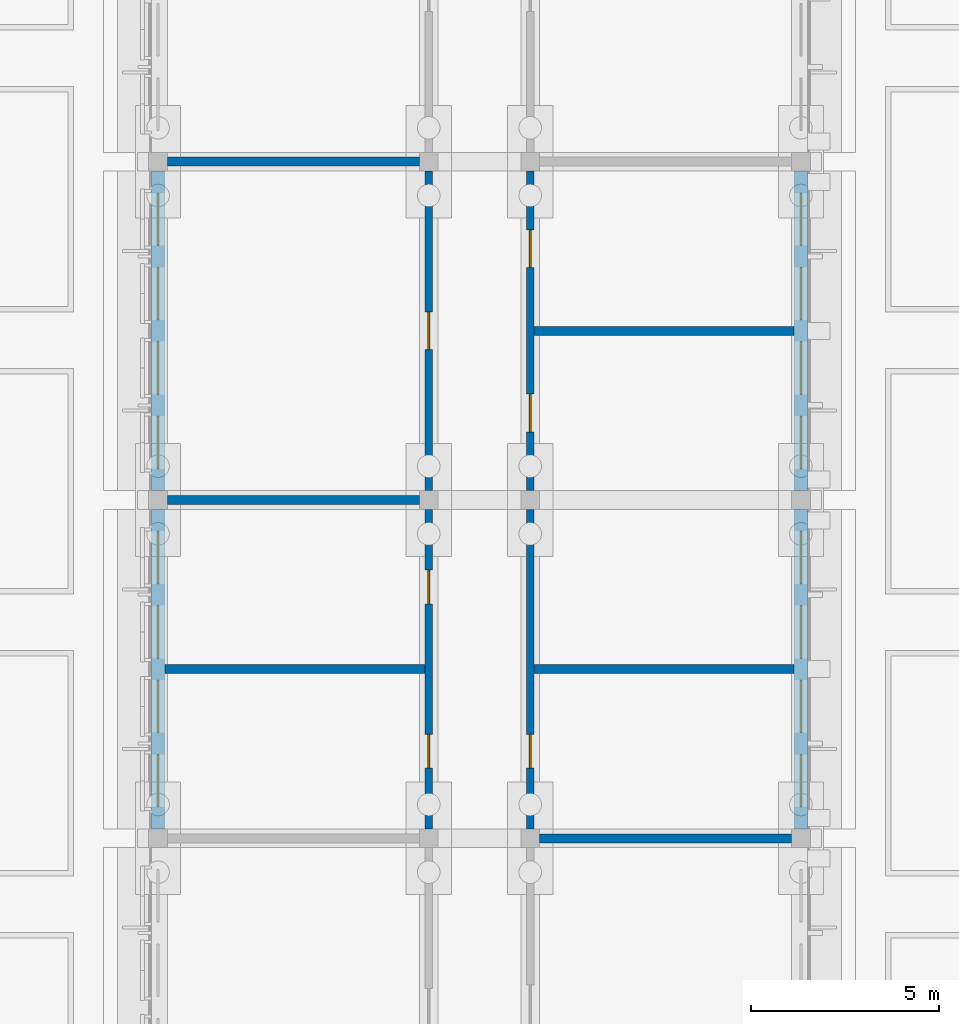
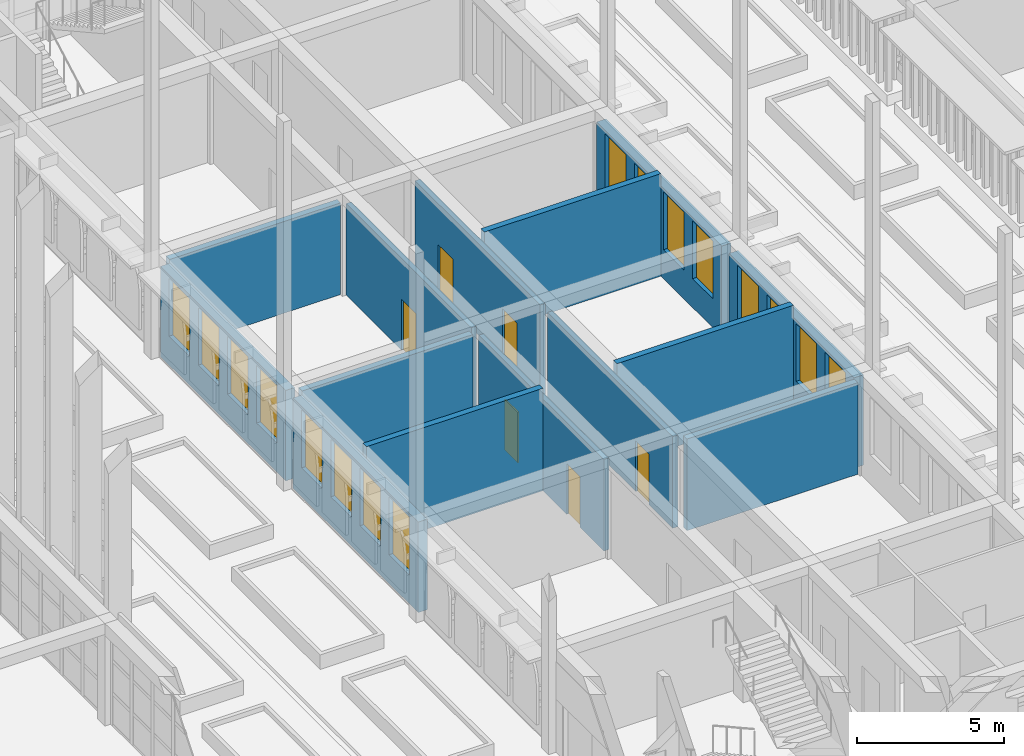
# One storey, part 63 of 161: 16 windows, 14 walls, 6 doors, 22 openings.
"""IFC4 building model written with IfcOpenShell, lengths in metres."""

from ifc_helpers import new_model, si_unit, direction, frame, frame_2d, origin, place, context, subcontext, project, spatial, rectangle, extrude, material, layer, layer_set, type_object, element, fill, save


model = new_model("IFC4")

# Units and contexts
model_context = context("Model", 3, precision=1e-05, world=origin(), true_north=direction((0.0, 1.0)))
body_context = subcontext(model_context, "Body", "Model", "MODEL_VIEW")
ifc_project = project(units=[si_unit("LENGTHUNIT", "METRE"), si_unit("AREAUNIT", "SQUARE_METRE"), si_unit("VOLUMEUNIT", "CUBIC_METRE"), si_unit("PLANEANGLEUNIT", "RADIAN"), si_unit("MASSUNIT", "GRAM", prefix="KILO")], contexts=[model_context])

# Site, building, storey
site_placement = place(None, origin())
site = spatial("IfcSite", under=ifc_project, at=site_placement, CompositionType="ELEMENT")
building_placement = place(site_placement, origin())
building = spatial("IfcBuilding", under=site, at=building_placement, Name="Elbe Cascade School", CompositionType="ELEMENT")
storey_placement = place(building_placement, origin())
storey = spatial("IfcBuildingStorey", under=building, at=storey_placement, Name="L00", CompositionType="ELEMENT", Elevation=0.0)

# Walls
ifc_material_1 = material(Name="Masonry - lime-sand block, plastered", Category="masonry")
ifc_layer_1 = layer(ifc_material_1, 0.239990234375)
ifc_layer_set_1 = layer_set([ifc_layer_1], Name="Masonry - lime-sand block, plastered")
wall_type_1 = type_object("IfcWallType", Name="Bar acoustic partition wall lime-sand block 240", PredefinedType="PARTITIONING", material=ifc_layer_set_1)
wall_1_placement = place(storey_placement, frame((98.780029296875, 28.5, 0.0), z_axis=(0.0, 0.0, 1.0), x_axis=(1.0, 0.0, 0.0)))
element("IfcWall", 1, at=wall_1_placement, inside=storey, type_object=wall_type_1, Name="Bar acoustic partition wall lime-sand block 240", PredefinedType="PARTITIONING", context=body_context, shape_type="SweptSolid", body=[
    extrude(rectangle(XDim=6.919921875, YDim=0.239990234375, at=frame_2d((3.4599609375, 0.0))), origin(), (0.0, 0.0, 1.0), 4.25),
])
for number, where, z_axis, x_axis, name in (
    (2, (98.85009765625, 33.0, 0.0), (0.0, 0.0, 1.0), (1.0, 0.0, 0.0), "Bar acoustic partition wall lime-sand block 240"),
    (3, (98.85009765625, 42.0, 0.0), (0.0, 0.0, 1.0), (1.0, 0.0, 0.0), "Bar acoustic partition wall lime-sand block 240"),
    (4, (108.75, 24.0, 0.0), (0.0, 0.0, 1.0), (1.0, 0.0, 0.0), "Bar acoustic partition wall lime-sand block 240"),
):
    element("IfcWall", number, at=place(storey_placement, frame(where, z_axis=z_axis, x_axis=x_axis)), inside=storey, type_object=wall_type_1, Name=name, PredefinedType="PARTITIONING", context=body_context, shape_type="SweptSolid", body=[
        extrude(rectangle(XDim=6.699951171875, YDim=0.239990234375, at=frame_2d((3.35009765625, 0.0))), origin(), (0.0, 0.0, 1.0), 3.800048828125),
    ])
for number, where, z_axis, x_axis, name in (
    (5, (108.60009765625, 28.5, 0.0), (0.0, 0.0, 1.0), (1.0, 0.0, 0.0), "Bar acoustic partition wall lime-sand block 240"),
    (6, (108.60009765625, 37.5, 0.0), (0.0, 0.0, 1.0), (1.0, 0.0, 0.0), "Bar acoustic partition wall lime-sand block 240"),
):
    element("IfcWall", number, at=place(storey_placement, frame(where, z_axis=z_axis, x_axis=x_axis)), inside=storey, type_object=wall_type_1, Name=name, PredefinedType="PARTITIONING", context=body_context, shape_type="SweptSolid", body=[
        extrude(rectangle(XDim=6.919921875, YDim=0.239990234375, at=frame_2d((3.4599609375, 0.0))), origin(), (0.0, 0.0, 1.0), 4.25),
    ])

# Wall, openings, doors
ifc_material_2 = material(Name="Masonry - lime-sand block, plastered", Category="masonry")
ifc_layer_2 = layer(ifc_material_2, 0.199951171875)
ifc_layer_set_2 = layer_set([ifc_layer_2], Name="Masonry - lime-sand block, plastered")
wall_type_2 = type_object("IfcWallType", Name="Bar corridor wall lime-sand block 200 EI 30", PredefinedType="PARTITIONING", material=ifc_layer_set_2)
wall_2_placement = place(storey_placement, frame((105.800048828125, 24.25, 0.0), z_axis=(0.0, 0.0, 1.0), x_axis=(0.0, 1.0, 0.0)))
wall_2 = element("IfcWall", 7, at=wall_2_placement, inside=storey, type_object=wall_type_2, Name="Bar corridor wall lime-sand block 200 EI 30", PredefinedType="PARTITIONING", context=body_context, shape_type="SweptSolid", body=[
    extrude(rectangle(XDim=8.5, YDim=0.199951171875, at=frame_2d((4.25, 0.0))), origin(), (0.0, 0.0, 1.0), 3.800048828125),
])
opening_1_placement = place(wall_2_placement, frame((1.614990234375, 0.0, 0.0)))
opening_1 = element("IfcOpeningElement", 8, at=opening_1_placement, cuts=wall_2, Name="Opening D0.049", PredefinedType="OPENING", context=body_context, shape_type="SweptSolid", body=[
    extrude(rectangle(XDim=0.89990234375, YDim=2.10009765625, at=frame_2d((0.449951171875, 1.050048828125))), frame((0.0, 0.10986328125, 0.0), z_axis=(0.0, -1.0, 0.0), x_axis=(1.0, 0.0, 0.0)), (0.0, 0.0, 1.0), 0.219970703125),
])
opening_2_placement = place(wall_2_placement, frame((5.985107421875, 0.0, 0.0)))
opening_2 = element("IfcOpeningElement", 9, at=opening_2_placement, cuts=wall_2, Name="Opening D0.051", PredefinedType="OPENING", context=body_context, shape_type="SweptSolid", body=[
    extrude(rectangle(XDim=0.89990234375, YDim=2.10009765625, at=frame_2d((0.449951171875, 1.050048828125))), frame((0.0, 0.10986328125, 0.0), z_axis=(0.0, -1.0, 0.0), x_axis=(1.0, 0.0, 0.0)), (0.0, 0.0, 1.0), 0.219970703125),
])
ifc_material_3 = material(Name="Timber door leaf, fire-resisting, steel frame", Category="steel")
door_type_1 = type_object("IfcDoorType", Name="Bar door FD30 900x2100", OperationType="NOTDEFINED", PredefinedType="DOOR", material=ifc_material_3)
door_1_placement = place(opening_1_placement, origin())
door_1 = element("IfcDoor", 10, at=door_1_placement, inside=storey, type_object=door_type_1, Name="Door B0.20", OperationType="SINGLE_SWING_LEFT", OverallHeight=2.10009765625, OverallWidth=0.89990234375, PredefinedType="DOOR", context=body_context, shape_type="SweptSolid", body=[
    extrude(rectangle(XDim=0.89990234375, YDim=2.10009765625, at=frame_2d((0.449951171875, 1.050048828125))), frame((0.0, 0.02490234375, 0.0), z_axis=(0.0, -1.0, 0.0), x_axis=(1.0, 0.0, 0.0)), (0.0, 0.0, 1.0), 0.050048828125),
])
fill(opening_1, door_1)
door_2_placement = place(opening_2_placement, origin())
door_2 = element("IfcDoor", 11, at=door_2_placement, inside=storey, type_object=door_type_1, Name="Door B0.21", OperationType="SINGLE_SWING_RIGHT", OverallHeight=2.10009765625, OverallWidth=0.89990234375, PredefinedType="DOOR", context=body_context, shape_type="SweptSolid", body=[
    extrude(rectangle(XDim=0.89990234375, YDim=2.10009765625, at=frame_2d((0.449951171875, 1.050048828125))), frame((0.0, 0.02490234375, 0.0), z_axis=(0.0, -1.0, 0.0), x_axis=(1.0, 0.0, 0.0)), (0.0, 0.0, 1.0), 0.050048828125),
])
fill(opening_2, door_2)

# Wall, opening, door
wall_3_placement = place(storey_placement, frame((105.800048828125, 33.25, 0.0), z_axis=(0.0, 0.0, 1.0), x_axis=(0.0, 1.0, 0.0)))
wall_3 = element("IfcWall", 12, at=wall_3_placement, inside=storey, type_object=wall_type_2, Name="Bar corridor wall lime-sand block 200 EI 30", PredefinedType="PARTITIONING", context=body_context, shape_type="SweptSolid", body=[
    extrude(rectangle(XDim=8.5, YDim=0.199951171875, at=frame_2d((4.25, 0.0))), origin(), (0.0, 0.0, 1.0), 3.800048828125),
])
opening_3_placement = place(wall_3_placement, frame((3.75, 0.0, 0.0)))
opening_3 = element("IfcOpeningElement", 13, at=opening_3_placement, cuts=wall_3, Name="Opening D0.053", PredefinedType="OPENING", context=body_context, shape_type="SweptSolid", body=[
    extrude(rectangle(XDim=1.0, YDim=2.10009765625, at=frame_2d((0.5, 1.050048828125))), frame((0.0, 0.10986328125, 0.0), z_axis=(0.0, -1.0, 0.0), x_axis=(1.0, 0.0, 0.0)), (0.0, 0.0, 1.0), 0.219970703125),
])
ifc_material_4 = material(Name="Timber door leaf, fire-resisting, steel frame", Category="steel")
door_type_2 = type_object("IfcDoorType", Name="Bar door FD30 1000x2100", OperationType="NOTDEFINED", PredefinedType="DOOR", material=ifc_material_4)
door_3_placement = place(opening_3_placement, origin())
door_3 = element("IfcDoor", 14, at=door_3_placement, inside=storey, type_object=door_type_2, Name="Door B0.22", OperationType="SINGLE_SWING_LEFT", OverallHeight=2.10009765625, OverallWidth=1.0, PredefinedType="DOOR", context=body_context, shape_type="SweptSolid", body=[
    extrude(rectangle(XDim=1.0, YDim=2.10009765625, at=frame_2d((0.5, 1.050048828125))), frame((0.0, 0.02490234375, 0.0), z_axis=(0.0, -1.0, 0.0), x_axis=(1.0, 0.0, 0.0)), (0.0, 0.0, 1.0), 0.050048828125),
])
fill(opening_3, door_3)

wall_4_placement = place(storey_placement, frame((108.5, 32.75, 0.0), z_axis=(0.0, 0.0, 1.0), x_axis=(0.0, -1.0, 0.0)))
wall_4 = element("IfcWall", 15, at=wall_4_placement, inside=storey, type_object=wall_type_2, Name="Bar corridor wall lime-sand block 200 EI 30", PredefinedType="PARTITIONING", context=body_context, shape_type="SweptSolid", body=[
    extrude(rectangle(XDim=8.5, YDim=0.199951171875, at=frame_2d((4.25, 0.0))), origin(), (0.0, 0.0, 1.0), 3.800048828125),
])
opening_4_placement = place(wall_4_placement, frame((5.985107421875, 0.0, 0.0)))
opening_4 = element("IfcOpeningElement", 16, at=opening_4_placement, cuts=wall_4, Name="Opening D0.050", PredefinedType="OPENING", context=body_context, shape_type="SweptSolid", body=[
    extrude(rectangle(XDim=0.89990234375, YDim=2.10009765625, at=frame_2d((0.449951171875, 1.050048828125))), frame((0.0, 0.10986328125, 0.0), z_axis=(0.0, -1.0, 0.0), x_axis=(1.0, 0.0, 0.0)), (0.0, 0.0, 1.0), 0.219970703125),
])
door_4_placement = place(opening_4_placement, origin())
door_4 = element("IfcDoor", 17, at=door_4_placement, inside=storey, type_object=door_type_1, Name="Door B0.25", OperationType="SINGLE_SWING_RIGHT", OverallHeight=2.10009765625, OverallWidth=0.89990234375, PredefinedType="DOOR", context=body_context, shape_type="SweptSolid", body=[
    extrude(rectangle(XDim=0.89990234375, YDim=2.10009765625, at=frame_2d((0.449951171875, 1.050048828125))), frame((0.0, 0.02490234375, 0.0), z_axis=(0.0, -1.0, 0.0), x_axis=(1.0, 0.0, 0.0)), (0.0, 0.0, 1.0), 0.050048828125),
])
fill(opening_4, door_4)

# Wall, openings, doors
wall_5_placement = place(storey_placement, frame((108.5, 41.75, 0.0), z_axis=(0.0, 0.0, 1.0), x_axis=(0.0, -1.0, 0.0)))
wall_5 = element("IfcWall", 18, at=wall_5_placement, inside=storey, type_object=wall_type_2, Name="Bar corridor wall lime-sand block 200 EI 30", PredefinedType="PARTITIONING", context=body_context, shape_type="SweptSolid", body=[
    extrude(rectangle(XDim=8.5, YDim=0.199951171875, at=frame_2d((4.25, 0.0))), origin(), (0.0, 0.0, 1.0), 3.800048828125),
])
opening_5_placement = place(wall_5_placement, frame((5.93505859375, 0.0, 0.0)))
opening_5 = element("IfcOpeningElement", 19, at=opening_5_placement, cuts=wall_5, Name="Opening D0.052", PredefinedType="OPENING", context=body_context, shape_type="SweptSolid", body=[
    extrude(rectangle(XDim=1.0, YDim=2.10009765625, at=frame_2d((0.5, 1.050048828125))), frame((0.0, 0.10986328125, 0.0), z_axis=(0.0, -1.0, 0.0), x_axis=(1.0, 0.0, 0.0)), (0.0, 0.0, 1.0), 0.219970703125),
])
opening_6_placement = place(wall_5_placement, frame((1.56494140625, 0.0, 0.0)))
opening_6 = element("IfcOpeningElement", 20, at=opening_6_placement, cuts=wall_5, Name="Opening D0.054", PredefinedType="OPENING", context=body_context, shape_type="SweptSolid", body=[
    extrude(rectangle(XDim=1.0, YDim=2.10009765625, at=frame_2d((0.5, 1.050048828125))), frame((0.0, 0.10986328125, 0.0), z_axis=(0.0, -1.0, 0.0), x_axis=(1.0, 0.0, 0.0)), (0.0, 0.0, 1.0), 0.219970703125),
])
door_5_placement = place(opening_5_placement, origin())
door_5 = element("IfcDoor", 21, at=door_5_placement, inside=storey, type_object=door_type_2, Name="Door B0.26", OperationType="SINGLE_SWING_LEFT", OverallHeight=2.10009765625, OverallWidth=1.0, PredefinedType="DOOR", context=body_context, shape_type="SweptSolid", body=[
    extrude(rectangle(XDim=1.0, YDim=2.10009765625, at=frame_2d((0.5, 1.050048828125))), frame((0.0, 0.02490234375, 0.0), z_axis=(0.0, -1.0, 0.0), x_axis=(1.0, 0.0, 0.0)), (0.0, 0.0, 1.0), 0.050048828125),
])
fill(opening_5, door_5)
door_6_placement = place(opening_6_placement, origin())
door_6 = element("IfcDoor", 22, at=door_6_placement, inside=storey, type_object=door_type_2, Name="Door B0.27", OperationType="SINGLE_SWING_RIGHT", OverallHeight=2.10009765625, OverallWidth=1.0, PredefinedType="DOOR", context=body_context, shape_type="SweptSolid", body=[
    extrude(rectangle(XDim=1.0, YDim=2.10009765625, at=frame_2d((0.5, 1.050048828125))), frame((0.0, 0.02490234375, 0.0), z_axis=(0.0, -1.0, 0.0), x_axis=(1.0, 0.0, 0.0)), (0.0, 0.0, 1.0), 0.050048828125),
])
fill(opening_6, door_6)

# Wall, openings, windows
ifc_material_5 = material(Name="Brick masonry - red clinker, cavity wall with render backing", Category="masonry")
ifc_layer_3 = layer(ifc_material_5, 0.360107421875)
ifc_layer_set_3 = layer_set([ifc_layer_3], Name="Brick masonry - red clinker, cavity wall with render backing")
wall_type_3 = type_object("IfcWallType", Name="Bars envelope External wall - clinker brick cavity, 360 ground floor", PredefinedType="STANDARD", material=ifc_layer_set_3)
wall_6_placement = place(storey_placement, frame((98.60009765625, 24.25, 0.0), z_axis=(0.0, 0.0, 1.0), x_axis=(0.0, 1.0, 0.0)))
wall_6 = element("IfcWall", 23, at=wall_6_placement, inside=storey, type_object=wall_type_3, Name="External wall W29 B.L00.w3", PredefinedType="STANDARD", context=body_context, shape_type="SweptSolid", body=[
    extrude(rectangle(XDim=8.5, YDim=0.360107421875, at=frame_2d((4.25, 0.0))), origin(), (0.0, 0.0, 1.0), 3.75),
])
opening_7_placement = place(wall_6_placement, frame((0.580078125, 0.0, 1.199951171875)))
opening_7 = element("IfcOpeningElement", 24, at=opening_7_placement, cuts=wall_6, Name="Opening W0.025", PredefinedType="OPENING", context=body_context, shape_type="SweptSolid", body=[
    extrude(rectangle(XDim=1.39990234375, YDim=2.39990234375, at=frame_2d((0.699951171875, 1.199951171875))), frame((0.0, 0.18994140625, 0.0), z_axis=(0.0, -1.0, 0.0), x_axis=(1.0, 0.0, 0.0)), (0.0, 0.0, 1.0), 0.380126953125),
])
opening_8_placement = place(wall_6_placement, frame((2.56005859375, 0.0, 1.199951171875)))
opening_8 = element("IfcOpeningElement", 25, at=opening_8_placement, cuts=wall_6, Name="Opening W0.027", PredefinedType="OPENING", context=body_context, shape_type="SweptSolid", body=[
    extrude(rectangle(XDim=1.39990234375, YDim=2.39990234375, at=frame_2d((0.699951171875, 1.199951171875))), frame((0.0, 0.18994140625, 0.0), z_axis=(0.0, -1.0, 0.0), x_axis=(1.0, 0.0, 0.0)), (0.0, 0.0, 1.0), 0.380126953125),
])
opening_9_placement = place(wall_6_placement, frame((4.5400390625, 0.0, 1.199951171875)))
opening_9 = element("IfcOpeningElement", 26, at=opening_9_placement, cuts=wall_6, Name="Opening W0.029", PredefinedType="OPENING", context=body_context, shape_type="SweptSolid", body=[
    extrude(rectangle(XDim=1.39990234375, YDim=2.39990234375, at=frame_2d((0.699951171875, 1.199951171875))), frame((0.0, 0.18994140625, 0.0), z_axis=(0.0, -1.0, 0.0), x_axis=(1.0, 0.0, 0.0)), (0.0, 0.0, 1.0), 0.380126953125),
])
opening_10_placement = place(wall_6_placement, frame((6.52001953125, 0.0, 1.199951171875)))
opening_10 = element("IfcOpeningElement", 27, at=opening_10_placement, cuts=wall_6, Name="Opening W0.031", PredefinedType="OPENING", context=body_context, shape_type="SweptSolid", body=[
    extrude(rectangle(XDim=1.39990234375, YDim=2.39990234375, at=frame_2d((0.699951171875, 1.199951171875))), frame((0.0, 0.18994140625, 0.0), z_axis=(0.0, -1.0, 0.0), x_axis=(1.0, 0.0, 0.0)), (0.0, 0.0, 1.0), 0.380126953125),
])
ifc_material_6 = material(Name="Aluminium frame with double glazing, bronze anodised", Category="aluminium")
window_type = type_object("IfcWindowType", Name="Bars envelope Window 1400 x 2400, music and art studio, high sill, aluminium double glazed", PartitioningType="DOUBLE_PANEL_VERTICAL", PredefinedType="WINDOW", material=ifc_material_6)
window_1_placement = place(opening_7_placement, origin())
window_1 = element("IfcWindow", 28, at=window_1_placement, inside=storey, type_object=window_type, Name="Window WN11 B.L00.w3.1", OverallHeight=2.39990234375, OverallWidth=1.39990234375, PartitioningType="DOUBLE_PANEL_VERTICAL", PredefinedType="WINDOW", context=body_context, shape_type="SweptSolid", body=[
    extrude(rectangle(XDim=1.39990234375, YDim=2.39990234375, at=frame_2d((0.699951171875, 1.199951171875))), frame((0.0, 0.030029296875, 0.0), z_axis=(0.0, -1.0, 0.0), x_axis=(1.0, 0.0, 0.0)), (0.0, 0.0, 1.0), 0.06005859375),
])
fill(opening_7, window_1)
window_2_placement = place(opening_8_placement, origin())
window_2 = element("IfcWindow", 29, at=window_2_placement, inside=storey, type_object=window_type, Name="Window WN11 B.L00.w3.2", OverallHeight=2.39990234375, OverallWidth=1.39990234375, PartitioningType="DOUBLE_PANEL_VERTICAL", PredefinedType="WINDOW", context=body_context, shape_type="SweptSolid", body=[
    extrude(rectangle(XDim=1.39990234375, YDim=2.39990234375, at=frame_2d((0.699951171875, 1.199951171875))), frame((0.0, 0.030029296875, 0.0), z_axis=(0.0, -1.0, 0.0), x_axis=(1.0, 0.0, 0.0)), (0.0, 0.0, 1.0), 0.06005859375),
])
fill(opening_8, window_2)
window_3_placement = place(opening_9_placement, origin())
window_3 = element("IfcWindow", 30, at=window_3_placement, inside=storey, type_object=window_type, Name="Window WN11 B.L00.w3.3", OverallHeight=2.39990234375, OverallWidth=1.39990234375, PartitioningType="DOUBLE_PANEL_VERTICAL", PredefinedType="WINDOW", context=body_context, shape_type="SweptSolid", body=[
    extrude(rectangle(XDim=1.39990234375, YDim=2.39990234375, at=frame_2d((0.699951171875, 1.199951171875))), frame((0.0, 0.030029296875, 0.0), z_axis=(0.0, -1.0, 0.0), x_axis=(1.0, 0.0, 0.0)), (0.0, 0.0, 1.0), 0.06005859375),
])
fill(opening_9, window_3)
window_4_placement = place(opening_10_placement, origin())
window_4 = element("IfcWindow", 31, at=window_4_placement, inside=storey, type_object=window_type, Name="Window WN11 B.L00.w3.4", OverallHeight=2.39990234375, OverallWidth=1.39990234375, PartitioningType="DOUBLE_PANEL_VERTICAL", PredefinedType="WINDOW", context=body_context, shape_type="SweptSolid", body=[
    extrude(rectangle(XDim=1.39990234375, YDim=2.39990234375, at=frame_2d((0.699951171875, 1.199951171875))), frame((0.0, 0.030029296875, 0.0), z_axis=(0.0, -1.0, 0.0), x_axis=(1.0, 0.0, 0.0)), (0.0, 0.0, 1.0), 0.06005859375),
])
fill(opening_10, window_4)

wall_7_placement = place(storey_placement, frame((98.60009765625, 33.25, 0.0), z_axis=(0.0, 0.0, 1.0), x_axis=(0.0, 1.0, 0.0)))
wall_7 = element("IfcWall", 32, at=wall_7_placement, inside=storey, type_object=wall_type_3, Name="External wall W29 B.L00.w4", PredefinedType="STANDARD", context=body_context, shape_type="SweptSolid", body=[
    extrude(rectangle(XDim=8.5, YDim=0.360107421875, at=frame_2d((4.25, 0.0))), origin(), (0.0, 0.0, 1.0), 3.75),
])
opening_11_placement = place(wall_7_placement, frame((0.580078125, 0.0, 1.199951171875)))
opening_11 = element("IfcOpeningElement", 33, at=opening_11_placement, cuts=wall_7, Name="Opening W0.033", PredefinedType="OPENING", context=body_context, shape_type="SweptSolid", body=[
    extrude(rectangle(XDim=1.39990234375, YDim=2.39990234375, at=frame_2d((0.699951171875, 1.199951171875))), frame((0.0, 0.18994140625, 0.0), z_axis=(0.0, -1.0, 0.0), x_axis=(1.0, 0.0, 0.0)), (0.0, 0.0, 1.0), 0.380126953125),
])
opening_12_placement = place(wall_7_placement, frame((2.56005859375, 0.0, 1.199951171875)))
opening_12 = element("IfcOpeningElement", 34, at=opening_12_placement, cuts=wall_7, Name="Opening W0.035", PredefinedType="OPENING", context=body_context, shape_type="SweptSolid", body=[
    extrude(rectangle(XDim=1.39990234375, YDim=2.39990234375, at=frame_2d((0.699951171875, 1.199951171875))), frame((0.0, 0.18994140625, 0.0), z_axis=(0.0, -1.0, 0.0), x_axis=(1.0, 0.0, 0.0)), (0.0, 0.0, 1.0), 0.380126953125),
])
opening_13_placement = place(wall_7_placement, frame((4.5400390625, 0.0, 1.199951171875)))
opening_13 = element("IfcOpeningElement", 35, at=opening_13_placement, cuts=wall_7, Name="Opening W0.037", PredefinedType="OPENING", context=body_context, shape_type="SweptSolid", body=[
    extrude(rectangle(XDim=1.39990234375, YDim=2.39990234375, at=frame_2d((0.699951171875, 1.199951171875))), frame((0.0, 0.18994140625, 0.0), z_axis=(0.0, -1.0, 0.0), x_axis=(1.0, 0.0, 0.0)), (0.0, 0.0, 1.0), 0.380126953125),
])
opening_14_placement = place(wall_7_placement, frame((6.52001953125, 0.0, 1.199951171875)))
opening_14 = element("IfcOpeningElement", 36, at=opening_14_placement, cuts=wall_7, Name="Opening W0.039", PredefinedType="OPENING", context=body_context, shape_type="SweptSolid", body=[
    extrude(rectangle(XDim=1.39990234375, YDim=2.39990234375, at=frame_2d((0.699951171875, 1.199951171875))), frame((0.0, 0.18994140625, 0.0), z_axis=(0.0, -1.0, 0.0), x_axis=(1.0, 0.0, 0.0)), (0.0, 0.0, 1.0), 0.380126953125),
])
window_5_placement = place(opening_11_placement, origin())
window_5 = element("IfcWindow", 37, at=window_5_placement, inside=storey, type_object=window_type, Name="Window WN11 B.L00.w4.1", OverallHeight=2.39990234375, OverallWidth=1.39990234375, PartitioningType="DOUBLE_PANEL_VERTICAL", PredefinedType="WINDOW", context=body_context, shape_type="SweptSolid", body=[
    extrude(rectangle(XDim=1.39990234375, YDim=2.39990234375, at=frame_2d((0.699951171875, 1.199951171875))), frame((0.0, 0.030029296875, 0.0), z_axis=(0.0, -1.0, 0.0), x_axis=(1.0, 0.0, 0.0)), (0.0, 0.0, 1.0), 0.06005859375),
])
fill(opening_11, window_5)
window_6_placement = place(opening_12_placement, origin())
window_6 = element("IfcWindow", 38, at=window_6_placement, inside=storey, type_object=window_type, Name="Window WN11 B.L00.w4.2", OverallHeight=2.39990234375, OverallWidth=1.39990234375, PartitioningType="DOUBLE_PANEL_VERTICAL", PredefinedType="WINDOW", context=body_context, shape_type="SweptSolid", body=[
    extrude(rectangle(XDim=1.39990234375, YDim=2.39990234375, at=frame_2d((0.699951171875, 1.199951171875))), frame((0.0, 0.030029296875, 0.0), z_axis=(0.0, -1.0, 0.0), x_axis=(1.0, 0.0, 0.0)), (0.0, 0.0, 1.0), 0.06005859375),
])
fill(opening_12, window_6)
window_7_placement = place(opening_13_placement, origin())
window_7 = element("IfcWindow", 39, at=window_7_placement, inside=storey, type_object=window_type, Name="Window WN11 B.L00.w4.3", OverallHeight=2.39990234375, OverallWidth=1.39990234375, PartitioningType="DOUBLE_PANEL_VERTICAL", PredefinedType="WINDOW", context=body_context, shape_type="SweptSolid", body=[
    extrude(rectangle(XDim=1.39990234375, YDim=2.39990234375, at=frame_2d((0.699951171875, 1.199951171875))), frame((0.0, 0.030029296875, 0.0), z_axis=(0.0, -1.0, 0.0), x_axis=(1.0, 0.0, 0.0)), (0.0, 0.0, 1.0), 0.06005859375),
])
fill(opening_13, window_7)
window_8_placement = place(opening_14_placement, origin())
window_8 = element("IfcWindow", 40, at=window_8_placement, inside=storey, type_object=window_type, Name="Window WN11 B.L00.w4.4", OverallHeight=2.39990234375, OverallWidth=1.39990234375, PartitioningType="DOUBLE_PANEL_VERTICAL", PredefinedType="WINDOW", context=body_context, shape_type="SweptSolid", body=[
    extrude(rectangle(XDim=1.39990234375, YDim=2.39990234375, at=frame_2d((0.699951171875, 1.199951171875))), frame((0.0, 0.030029296875, 0.0), z_axis=(0.0, -1.0, 0.0), x_axis=(1.0, 0.0, 0.0)), (0.0, 0.0, 1.0), 0.06005859375),
])
fill(opening_14, window_8)

wall_8_placement = place(storey_placement, frame((115.699951171875, 32.75, 0.0), z_axis=(0.0, 0.0, 1.0), x_axis=(0.0, -1.0, 0.0)))
wall_8 = element("IfcWall", 41, at=wall_8_placement, inside=storey, type_object=wall_type_3, Name="External wall W29 B.L00.e3", PredefinedType="STANDARD", context=body_context, shape_type="SweptSolid", body=[
    extrude(rectangle(XDim=8.5, YDim=0.360107421875, at=frame_2d((4.25, 0.0))), origin(), (0.0, 0.0, 1.0), 3.75),
])
opening_15_placement = place(wall_8_placement, frame((6.52001953125, 0.0, 1.199951171875)))
opening_15 = element("IfcOpeningElement", 42, at=opening_15_placement, cuts=wall_8, Name="Opening W0.026", PredefinedType="OPENING", context=body_context, shape_type="SweptSolid", body=[
    extrude(rectangle(XDim=1.39990234375, YDim=2.39990234375, at=frame_2d((0.699951171875, 1.199951171875))), frame((0.0, 0.18994140625, 0.0), z_axis=(0.0, -1.0, 0.0), x_axis=(1.0, 0.0, 0.0)), (0.0, 0.0, 1.0), 0.380126953125),
])
opening_16_placement = place(wall_8_placement, frame((4.5400390625, 0.0, 1.199951171875)))
opening_16 = element("IfcOpeningElement", 43, at=opening_16_placement, cuts=wall_8, Name="Opening W0.028", PredefinedType="OPENING", context=body_context, shape_type="SweptSolid", body=[
    extrude(rectangle(XDim=1.39990234375, YDim=2.39990234375, at=frame_2d((0.699951171875, 1.199951171875))), frame((0.0, 0.18994140625, 0.0), z_axis=(0.0, -1.0, 0.0), x_axis=(1.0, 0.0, 0.0)), (0.0, 0.0, 1.0), 0.380126953125),
])
opening_17_placement = place(wall_8_placement, frame((2.56005859375, 0.0, 1.199951171875)))
opening_17 = element("IfcOpeningElement", 44, at=opening_17_placement, cuts=wall_8, Name="Opening W0.030", PredefinedType="OPENING", context=body_context, shape_type="SweptSolid", body=[
    extrude(rectangle(XDim=1.39990234375, YDim=2.39990234375, at=frame_2d((0.699951171875, 1.199951171875))), frame((0.0, 0.18994140625, 0.0), z_axis=(0.0, -1.0, 0.0), x_axis=(1.0, 0.0, 0.0)), (0.0, 0.0, 1.0), 0.380126953125),
])
opening_18_placement = place(wall_8_placement, frame((0.580078125, 0.0, 1.199951171875)))
opening_18 = element("IfcOpeningElement", 45, at=opening_18_placement, cuts=wall_8, Name="Opening W0.032", PredefinedType="OPENING", context=body_context, shape_type="SweptSolid", body=[
    extrude(rectangle(XDim=1.39990234375, YDim=2.39990234375, at=frame_2d((0.699951171875, 1.199951171875))), frame((0.0, 0.18994140625, 0.0), z_axis=(0.0, -1.0, 0.0), x_axis=(1.0, 0.0, 0.0)), (0.0, 0.0, 1.0), 0.380126953125),
])
window_9_placement = place(opening_15_placement, origin())
window_9 = element("IfcWindow", 46, at=window_9_placement, inside=storey, type_object=window_type, Name="Window WN11 B.L00.e3.1", OverallHeight=2.39990234375, OverallWidth=1.39990234375, PartitioningType="DOUBLE_PANEL_VERTICAL", PredefinedType="WINDOW", context=body_context, shape_type="SweptSolid", body=[
    extrude(rectangle(XDim=1.39990234375, YDim=2.39990234375, at=frame_2d((0.699951171875, 1.199951171875))), frame((0.0, 0.030029296875, 0.0), z_axis=(0.0, -1.0, 0.0), x_axis=(1.0, 0.0, 0.0)), (0.0, 0.0, 1.0), 0.06005859375),
])
fill(opening_15, window_9)
window_10_placement = place(opening_16_placement, origin())
window_10 = element("IfcWindow", 47, at=window_10_placement, inside=storey, type_object=window_type, Name="Window WN11 B.L00.e3.2", OverallHeight=2.39990234375, OverallWidth=1.39990234375, PartitioningType="DOUBLE_PANEL_VERTICAL", PredefinedType="WINDOW", context=body_context, shape_type="SweptSolid", body=[
    extrude(rectangle(XDim=1.39990234375, YDim=2.39990234375, at=frame_2d((0.699951171875, 1.199951171875))), frame((0.0, 0.030029296875, 0.0), z_axis=(0.0, -1.0, 0.0), x_axis=(1.0, 0.0, 0.0)), (0.0, 0.0, 1.0), 0.06005859375),
])
fill(opening_16, window_10)
window_11_placement = place(opening_17_placement, origin())
window_11 = element("IfcWindow", 48, at=window_11_placement, inside=storey, type_object=window_type, Name="Window WN11 B.L00.e3.3", OverallHeight=2.39990234375, OverallWidth=1.39990234375, PartitioningType="DOUBLE_PANEL_VERTICAL", PredefinedType="WINDOW", context=body_context, shape_type="SweptSolid", body=[
    extrude(rectangle(XDim=1.39990234375, YDim=2.39990234375, at=frame_2d((0.699951171875, 1.199951171875))), frame((0.0, 0.030029296875, 0.0), z_axis=(0.0, -1.0, 0.0), x_axis=(1.0, 0.0, 0.0)), (0.0, 0.0, 1.0), 0.06005859375),
])
fill(opening_17, window_11)
window_12_placement = place(opening_18_placement, origin())
window_12 = element("IfcWindow", 49, at=window_12_placement, inside=storey, type_object=window_type, Name="Window WN11 B.L00.e3.4", OverallHeight=2.39990234375, OverallWidth=1.39990234375, PartitioningType="DOUBLE_PANEL_VERTICAL", PredefinedType="WINDOW", context=body_context, shape_type="SweptSolid", body=[
    extrude(rectangle(XDim=1.39990234375, YDim=2.39990234375, at=frame_2d((0.699951171875, 1.199951171875))), frame((0.0, 0.030029296875, 0.0), z_axis=(0.0, -1.0, 0.0), x_axis=(1.0, 0.0, 0.0)), (0.0, 0.0, 1.0), 0.06005859375),
])
fill(opening_18, window_12)

wall_9_placement = place(storey_placement, frame((115.699951171875, 41.75, 0.0), z_axis=(0.0, 0.0, 1.0), x_axis=(0.0, -1.0, 0.0)))
wall_9 = element("IfcWall", 50, at=wall_9_placement, inside=storey, type_object=wall_type_3, Name="External wall W29 B.L00.e4", PredefinedType="STANDARD", context=body_context, shape_type="SweptSolid", body=[
    extrude(rectangle(XDim=8.5, YDim=0.360107421875, at=frame_2d((4.25, 0.0))), origin(), (0.0, 0.0, 1.0), 3.75),
])
opening_19_placement = place(wall_9_placement, frame((6.52001953125, 0.0, 1.199951171875)))
opening_19 = element("IfcOpeningElement", 51, at=opening_19_placement, cuts=wall_9, Name="Opening W0.034", PredefinedType="OPENING", context=body_context, shape_type="SweptSolid", body=[
    extrude(rectangle(XDim=1.39990234375, YDim=2.39990234375, at=frame_2d((0.699951171875, 1.199951171875))), frame((0.0, 0.18994140625, 0.0), z_axis=(0.0, -1.0, 0.0), x_axis=(1.0, 0.0, 0.0)), (0.0, 0.0, 1.0), 0.380126953125),
])
opening_20_placement = place(wall_9_placement, frame((4.5400390625, 0.0, 1.199951171875)))
opening_20 = element("IfcOpeningElement", 52, at=opening_20_placement, cuts=wall_9, Name="Opening W0.036", PredefinedType="OPENING", context=body_context, shape_type="SweptSolid", body=[
    extrude(rectangle(XDim=1.39990234375, YDim=2.39990234375, at=frame_2d((0.699951171875, 1.199951171875))), frame((0.0, 0.18994140625, 0.0), z_axis=(0.0, -1.0, 0.0), x_axis=(1.0, 0.0, 0.0)), (0.0, 0.0, 1.0), 0.380126953125),
])
opening_21_placement = place(wall_9_placement, frame((2.56005859375, 0.0, 1.199951171875)))
opening_21 = element("IfcOpeningElement", 53, at=opening_21_placement, cuts=wall_9, Name="Opening W0.038", PredefinedType="OPENING", context=body_context, shape_type="SweptSolid", body=[
    extrude(rectangle(XDim=1.39990234375, YDim=2.39990234375, at=frame_2d((0.699951171875, 1.199951171875))), frame((0.0, 0.18994140625, 0.0), z_axis=(0.0, -1.0, 0.0), x_axis=(1.0, 0.0, 0.0)), (0.0, 0.0, 1.0), 0.380126953125),
])
opening_22_placement = place(wall_9_placement, frame((0.580078125, 0.0, 1.199951171875)))
opening_22 = element("IfcOpeningElement", 54, at=opening_22_placement, cuts=wall_9, Name="Opening W0.040", PredefinedType="OPENING", context=body_context, shape_type="SweptSolid", body=[
    extrude(rectangle(XDim=1.39990234375, YDim=2.39990234375, at=frame_2d((0.699951171875, 1.199951171875))), frame((0.0, 0.18994140625, 0.0), z_axis=(0.0, -1.0, 0.0), x_axis=(1.0, 0.0, 0.0)), (0.0, 0.0, 1.0), 0.380126953125),
])
window_13_placement = place(opening_19_placement, origin())
window_13 = element("IfcWindow", 55, at=window_13_placement, inside=storey, type_object=window_type, Name="Window WN11 B.L00.e4.1", OverallHeight=2.39990234375, OverallWidth=1.39990234375, PartitioningType="DOUBLE_PANEL_VERTICAL", PredefinedType="WINDOW", context=body_context, shape_type="SweptSolid", body=[
    extrude(rectangle(XDim=1.39990234375, YDim=2.39990234375, at=frame_2d((0.699951171875, 1.199951171875))), frame((0.0, 0.030029296875, 0.0), z_axis=(0.0, -1.0, 0.0), x_axis=(1.0, 0.0, 0.0)), (0.0, 0.0, 1.0), 0.06005859375),
])
fill(opening_19, window_13)
window_14_placement = place(opening_20_placement, origin())
window_14 = element("IfcWindow", 56, at=window_14_placement, inside=storey, type_object=window_type, Name="Window WN11 B.L00.e4.2", OverallHeight=2.39990234375, OverallWidth=1.39990234375, PartitioningType="DOUBLE_PANEL_VERTICAL", PredefinedType="WINDOW", context=body_context, shape_type="SweptSolid", body=[
    extrude(rectangle(XDim=1.39990234375, YDim=2.39990234375, at=frame_2d((0.699951171875, 1.199951171875))), frame((0.0, 0.030029296875, 0.0), z_axis=(0.0, -1.0, 0.0), x_axis=(1.0, 0.0, 0.0)), (0.0, 0.0, 1.0), 0.06005859375),
])
fill(opening_20, window_14)
window_15_placement = place(opening_21_placement, origin())
window_15 = element("IfcWindow", 57, at=window_15_placement, inside=storey, type_object=window_type, Name="Window WN11 B.L00.e4.3", OverallHeight=2.39990234375, OverallWidth=1.39990234375, PartitioningType="DOUBLE_PANEL_VERTICAL", PredefinedType="WINDOW", context=body_context, shape_type="SweptSolid", body=[
    extrude(rectangle(XDim=1.39990234375, YDim=2.39990234375, at=frame_2d((0.699951171875, 1.199951171875))), frame((0.0, 0.030029296875, 0.0), z_axis=(0.0, -1.0, 0.0), x_axis=(1.0, 0.0, 0.0)), (0.0, 0.0, 1.0), 0.06005859375),
])
fill(opening_21, window_15)
window_16_placement = place(opening_22_placement, origin())
window_16 = element("IfcWindow", 58, at=window_16_placement, inside=storey, type_object=window_type, Name="Window WN11 B.L00.e4.4", OverallHeight=2.39990234375, OverallWidth=1.39990234375, PartitioningType="DOUBLE_PANEL_VERTICAL", PredefinedType="WINDOW", context=body_context, shape_type="SweptSolid", body=[
    extrude(rectangle(XDim=1.39990234375, YDim=2.39990234375, at=frame_2d((0.699951171875, 1.199951171875))), frame((0.0, 0.030029296875, 0.0), z_axis=(0.0, -1.0, 0.0), x_axis=(1.0, 0.0, 0.0)), (0.0, 0.0, 1.0), 0.06005859375),
])
fill(opening_22, window_16)

save(model, "model.ifc")
